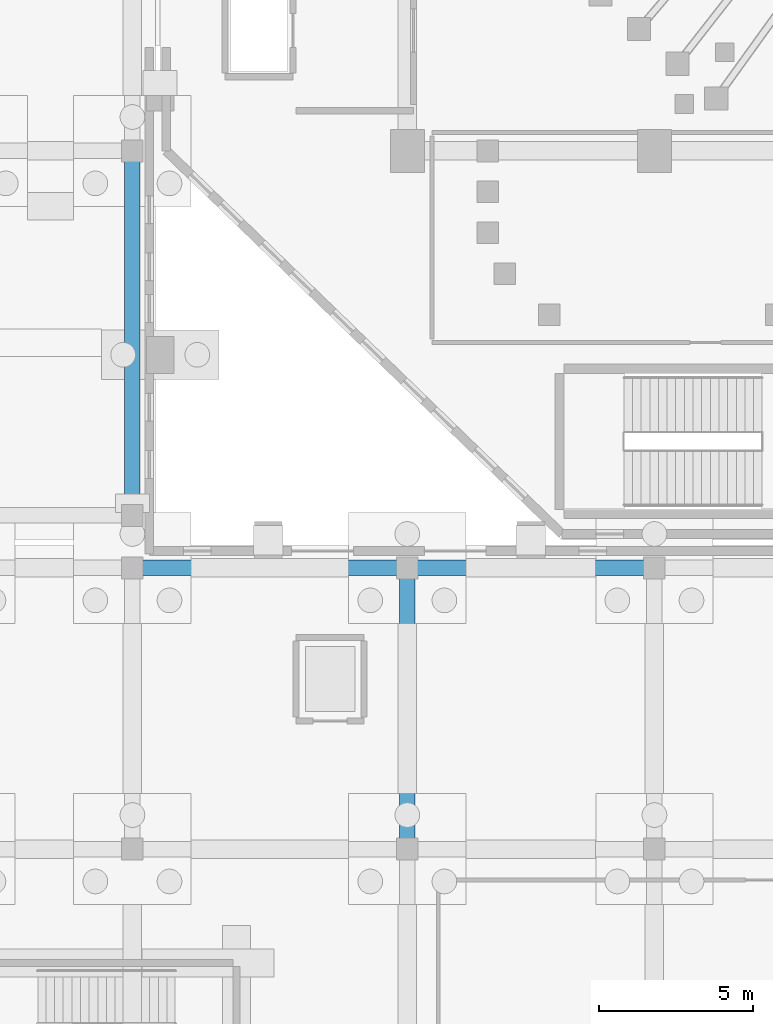
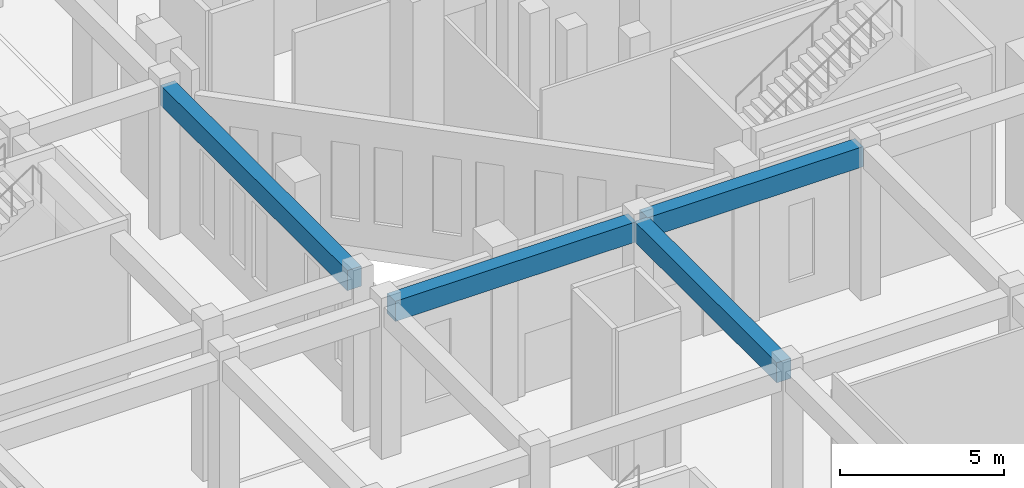
# One storey, part 24 of 143: 4 beams.
"""IFC4 building model written with IfcOpenShell, lengths in metres."""

from ifc_helpers import new_model, si_unit, derived_unit, direction, frame, origin, origin_2d, place, context, subcontext, project, spatial, rectangle, extrude, material, material_profile, profile_set, type_object, element, save


model = new_model("IFC4")

# Units and contexts
model_context = context("Model", 3, precision=1e-05, world=origin(), true_north=direction((0.0, 1.0)))
body_context = subcontext(model_context, "Body", "Model", "MODEL_VIEW")
ifc_project = project(units=[si_unit("LENGTHUNIT", "METRE"), si_unit("AREAUNIT", "SQUARE_METRE"), si_unit("VOLUMEUNIT", "CUBIC_METRE"), si_unit("PLANEANGLEUNIT", "RADIAN"), si_unit("MASSUNIT", "GRAM", prefix="KILO"), derived_unit("THERMALTRANSMITTANCEUNIT", [(si_unit("MASSUNIT", "GRAM", prefix="KILO"), 1), (si_unit("TIMEUNIT", "SECOND"), -3), (si_unit("THERMODYNAMICTEMPERATUREUNIT", "KELVIN"), -1)])], contexts=[model_context])

# Site, building, storey
site_placement = place(None, origin())
site = spatial("IfcSite", under=ifc_project, at=site_placement, CompositionType="ELEMENT")
building_placement = place(site_placement, origin())
building = spatial("IfcBuilding", under=site, at=building_placement, Name="Valcora Ridge Arena", CompositionType="ELEMENT")
storey_placement = place(building_placement, origin())
storey = spatial("IfcBuildingStorey", under=building, at=storey_placement, Name="L00", CompositionType="ELEMENT", Elevation=0.0)

# Beams
ifc_material = material(Name="Concrete C40/50", Category="concrete")
ifc_material_profile_1 = material_profile(ifc_material, rectangle(XDim=0.5, YDim=0.75, at=origin_2d()), Name="RC 500x750")
ifc_profile_set_1 = profile_set([ifc_material_profile_1], Name="Concrete C40/50")
beam_type_1 = type_object("IfcBeamType", Name="TY-BEAM-B-RC500-X", PredefinedType="BEAM", material=ifc_profile_set_1)
beam_1_placement = place(storey_placement, frame((15.300048828125, 19.10009765625, 5.264892578125), z_axis=(1.0, 0.0, 0.0), x_axis=(0.0, 1.0, 0.0)))
element("IfcBeam", 1, at=beam_1_placement, inside=storey, type_object=beam_type_1, Name="B-RC500-X BEM-B-RC500-X-0010", PredefinedType="BEAM", context=body_context, shape_type="SweptSolid", body=[
    extrude(rectangle(XDim=0.5, YDim=0.75, at=origin_2d()), origin(), (0.0, 0.0, 1.0), 8.5),
])
beam_2_placement = place(storey_placement, frame((24.199951171875, 19.10009765625, 5.264892578125), z_axis=(1.0, 0.0, 0.0), x_axis=(0.0, 1.0, 0.0)))
element("IfcBeam", 2, at=beam_2_placement, inside=storey, type_object=beam_type_1, Name="B-RC500-X BEM-B-RC500-X-0011", PredefinedType="BEAM", context=body_context, shape_type="SweptSolid", body=[
    extrude(rectangle(XDim=0.5, YDim=0.75, at=origin_2d()), origin(), (0.0, 0.0, 1.0), 7.60009765625),
])
ifc_material_profile_2 = material_profile(ifc_material, rectangle(XDim=0.5, YDim=0.75, at=origin_2d()), Name="RC 500x750")
ifc_profile_set_2 = profile_set([ifc_material_profile_2], Name="Concrete C40/50")
beam_type_2 = type_object("IfcBeamType", Name="TY-BEAM-B-RC500-Y", PredefinedType="BEAM", material=ifc_profile_set_2)
beam_3_placement = place(storey_placement, frame((15.10009765625, 21.0, 5.264892578125), z_axis=(0.0, 1.0, 0.0), x_axis=(-1.0, 0.0, 0.0)))
element("IfcBeam", 3, at=beam_3_placement, inside=storey, type_object=beam_type_2, Name="B-RC500-Y BEM-B-RC500-Y-0018", PredefinedType="BEAM", context=body_context, shape_type="SweptSolid", body=[
    extrude(rectangle(XDim=0.5, YDim=0.75, at=origin_2d()), origin(), (0.0, 0.0, 1.0), 11.39990234375),
])
beam_4_placement = place(storey_placement, frame((24.0, 10.199951171875, 5.264892578125), z_axis=(0.0, 1.0, 0.0), x_axis=(-1.0, 0.0, 0.0)))
element("IfcBeam", 4, at=beam_4_placement, inside=storey, type_object=beam_type_2, Name="B-RC500-Y BEM-B-RC500-Y-0025", PredefinedType="BEAM", context=body_context, shape_type="SweptSolid", body=[
    extrude(rectangle(XDim=0.5, YDim=0.75, at=origin_2d()), origin(), (0.0, 0.0, 1.0), 8.699951171875),
])

save(model, "model.ifc")
